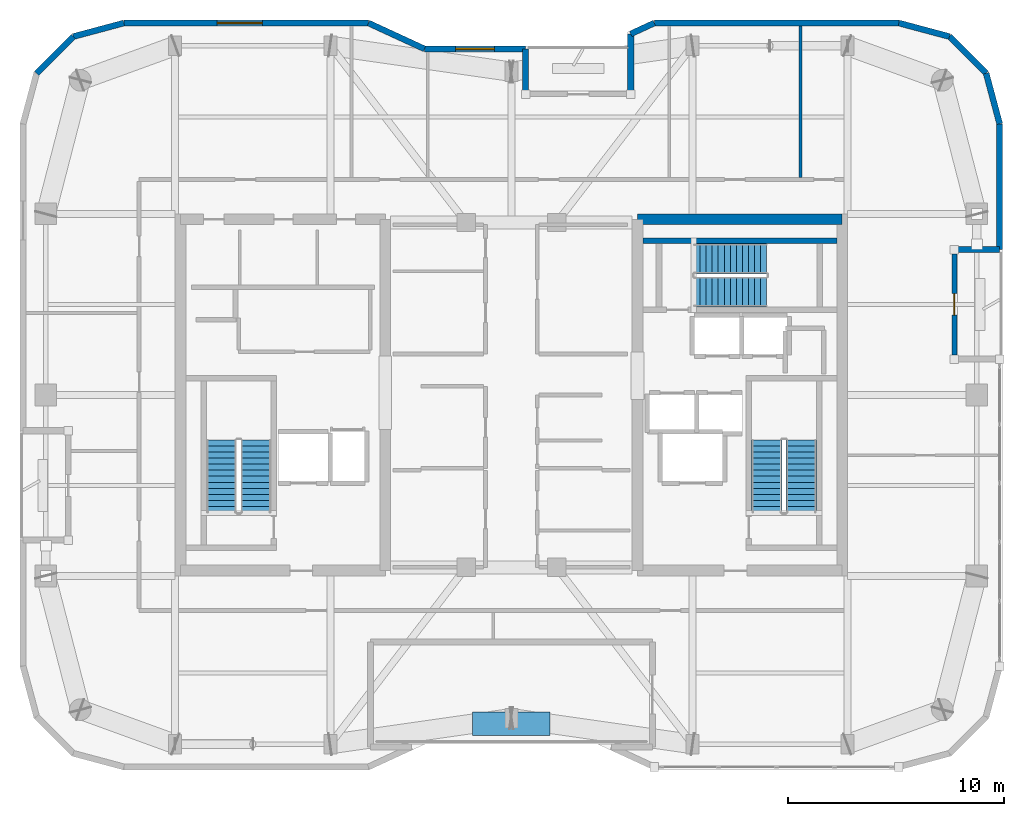
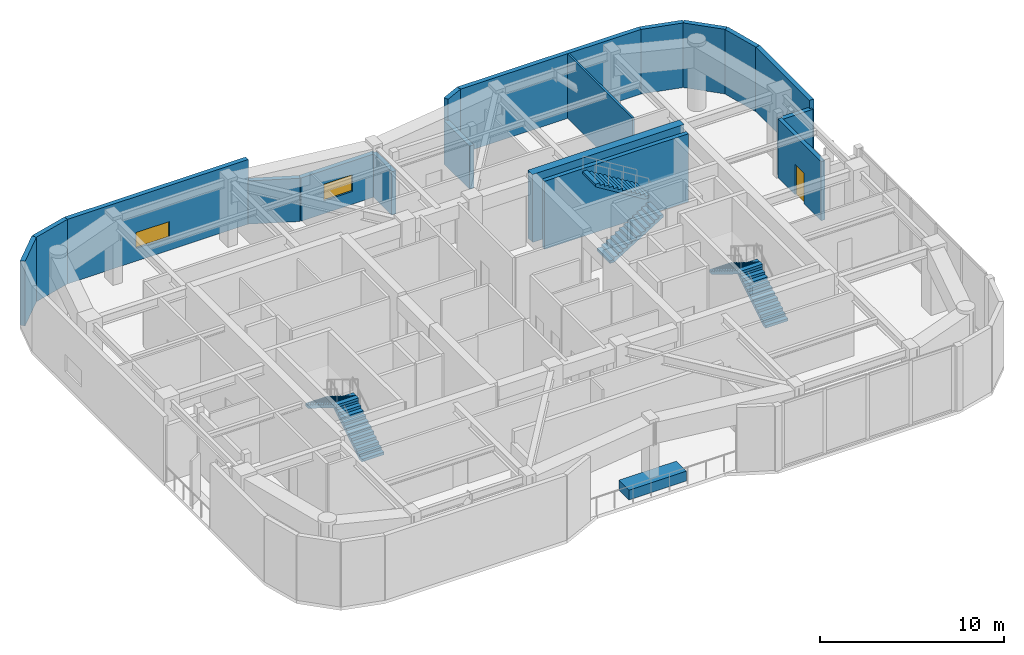
# One storey, part 12 of 14: 18 walls, 6 stair flights, 2 windows, 1 discrete accessory, 1 door, 3 openings, 3 elements without a shape of their own.
"""IFC4 building model written with IfcOpenShell, lengths in metres."""

from ifc_helpers import new_model, si_unit, direction, frame, frame_2d, origin, origin_2d, place, context, subcontext, project, spatial, polyline, rectangle, outline, extrude, material, layer, layer_set, type_object, element, fill, aggregate, save


model = new_model("IFC4")

# Units and contexts
model_context = context("Model", 3, precision=1e-05, world=origin(), true_north=direction((0.0, 1.0)))
body_context = subcontext(model_context, "Body", "Model", "MODEL_VIEW")
ifc_project = project(units=[si_unit("LENGTHUNIT", "METRE"), si_unit("AREAUNIT", "SQUARE_METRE"), si_unit("VOLUMEUNIT", "CUBIC_METRE"), si_unit("PLANEANGLEUNIT", "RADIAN"), si_unit("MASSUNIT", "GRAM", prefix="KILO")], contexts=[model_context])

# Site, building, storey
site_placement = place(None, origin())
site = spatial("IfcSite", under=ifc_project, at=site_placement, CompositionType="ELEMENT")
building_placement = place(site_placement, origin())
building = spatial("IfcBuilding", under=site, at=building_placement, Name="Kiyonajd Concourse Tower", CompositionType="ELEMENT")
storey_placement = place(building_placement, frame((0.0, 0.0, 294.0)))
storey = spatial("IfcBuildingStorey", under=building, at=storey_placement, Name="L74", CompositionType="ELEMENT", Elevation=294.0)

# Walls
ifc_material_1 = material(Name="Concrete C60/75", Category="concrete")
ifc_layer_1 = layer(ifc_material_1, 0.5)
ifc_layer_set_1 = layer_set([ifc_layer_1], Name="Concrete C60/75")
wall_type_1 = type_object("IfcWallType", Name="WL-CORE-500", PredefinedType="SHEAR", material=ifc_layer_set_1)
wall_1_placement = place(storey_placement, frame((53.85009765625, 44.14990234375, 0.0), z_axis=(0.0, 0.0, 1.0), x_axis=(1.0, 0.0, 0.0)))
element("IfcWall", 1, at=wall_1_placement, inside=storey, type_object=wall_type_1, Name="L74 East Core North Shear Wall", PredefinedType="SHEAR", context=body_context, shape_type="SweptSolid", body=[
    extrude(rectangle(XDim=9.5, YDim=0.5, at=frame_2d((4.75, 0.0))), origin(), (0.0, 0.0, 1.0), 4.5),
])
ifc_material_2 = material(Name="Precast concrete C50/60", Category="concrete")
ifc_layer_2 = layer(ifc_material_2, 0.280029296875)
ifc_layer_set_2 = layer_set([ifc_layer_2], Name="Precast concrete C50/60")
wall_type_2 = type_object("IfcWallType", Name="WL-EXT-280", PredefinedType="SOLIDWALL", material=ifc_layer_set_2)
wall_2_placement = place(storey_placement, frame((70.031494140625, 50.927490234375, 0.0), z_axis=(0.0, 0.0, 1.0), x_axis=(0.258751159445, -0.965944013639, 0.0)))
element("IfcWall", 2, at=wall_2_placement, inside=storey, type_object=wall_type_2, Name="L74 Exterior Concrete Frame Wall 00", PredefinedType="SOLIDWALL", context=body_context, shape_type="SweptSolid", body=[
    extrude(rectangle(XDim=2.4287109375, YDim=0.280029296875, at=frame_2d((1.21435546875, 0.0))), origin(), (0.0, 0.0, 1.0), 4.280029296875),
])
wall_3_placement = place(storey_placement, frame((70.659912109375, 48.58154296875, 0.0), z_axis=(0.0, 0.0, 1.0), x_axis=(0.0, -1.0, 0.0)))
element("IfcWall", 3, at=wall_3_placement, inside=storey, type_object=wall_type_2, Name="L74 Exterior Concrete Frame Wall 01", PredefinedType="SOLIDWALL", context=body_context, shape_type="SweptSolid", body=[
    extrude(rectangle(XDim=5.841552734375, YDim=0.280029296875, at=frame_2d((2.9208984375, 0.0))), origin(), (0.0, 0.0, 1.0), 4.280029296875),
])
wall_4_placement = place(storey_placement, frame((70.659912109375, 42.739990234375, 0.0), z_axis=(0.0, 0.0, 1.0), x_axis=(-1.0, 0.0, 0.0)))
element("IfcWall", 4, at=wall_4_placement, inside=storey, type_object=wall_type_2, Name="L74 Exterior Concrete Frame Wall 02", PredefinedType="SOLIDWALL", context=body_context, shape_type="SweptSolid", body=[
    extrude(rectangle(XDim=2.099853515625, YDim=0.280029296875, at=frame_2d((1.0498046875, 0.0))), origin(), (0.0, 0.0, 1.0), 3.72607421875),
])
wall_5_placement = place(storey_placement, frame((25.968505859375, 50.927490234375, 0.0), z_axis=(0.0, 0.0, 1.0), x_axis=(0.707106781187, 0.707106781187, 0.0)))
element("IfcWall", 5, at=wall_5_placement, inside=storey, type_object=wall_type_2, Name="L74 Exterior Concrete Frame Wall 27", PredefinedType="SOLIDWALL", context=body_context, shape_type="SweptSolid", body=[
    extrude(rectangle(XDim=2.409912109375, YDim=0.280029296875, at=frame_2d((1.205078125, 0.0))), origin(), (0.0, 0.0, 1.0), 4.280029296875),
])
wall_6_placement = place(storey_placement, frame((27.672607421875, 52.631591796875, 0.0), z_axis=(0.0, 0.0, 1.0), x_axis=(0.965937282298, 0.25877628691, 0.0)))
element("IfcWall", 6, at=wall_6_placement, inside=storey, type_object=wall_type_2, Name="L74 Exterior Concrete Frame Wall 28", PredefinedType="SOLIDWALL", context=body_context, shape_type="SweptSolid", body=[
    extrude(rectangle(XDim=2.428466796875, YDim=0.280029296875, at=frame_2d((1.21435546875, 0.0))), origin(), (0.0, 0.0, 1.0), 4.280029296875),
])

# Wall, opening, window
wall_7_placement = place(storey_placement, frame((30.018310546875, 53.260009765625, 0.0), z_axis=(0.0, 0.0, 1.0), x_axis=(1.0, 0.0, 0.0)))
wall_7 = element("IfcWall", 7, at=wall_7_placement, inside=storey, type_object=wall_type_2, Name="L74 Exterior Concrete Frame Wall 29", PredefinedType="SOLIDWALL", context=body_context, shape_type="SweptSolid", body=[
    extrude(rectangle(XDim=11.35107421875, YDim=0.280029296875, at=frame_2d((5.675537109375, 0.0))), origin(), (0.0, 0.0, 1.0), 4.280029296875),
])
opening_1_placement = place(wall_7_placement, frame((4.325927734375, 0.0, 0.85009765625)))
opening_1 = element("IfcOpeningElement", 8, at=opening_1_placement, cuts=wall_7, Name="Opening WN5", PredefinedType="OPENING", context=body_context, shape_type="SweptSolid", body=[
    extrude(rectangle(XDim=2.10009765625, YDim=1.050048828125, at=frame_2d((1.050048828125, 0.52490234375))), frame((0.0, 0.14990234375, 0.0), z_axis=(0.0, -1.0, 0.0), x_axis=(1.0, 0.0, 0.0)), (0.0, 0.0, 1.0), 0.300048828125),
])
ifc_material_3 = material(Name="Double Low-E Insulated Glass", Category="glass")
window_type_1 = type_object("IfcWindowType", Name="WN-VIS-2100x1050", PartitioningType="SINGLE_PANEL", PredefinedType="WINDOW", material=ifc_material_3)
window_1_placement = place(opening_1_placement, origin())
window_1 = element("IfcWindow", 9, at=window_1_placement, inside=storey, type_object=window_type_1, Name="L74 Modular Facade Vision Window 29", OverallHeight=1.050048828125, OverallWidth=2.10009765625, PartitioningType="SINGLE_PANEL", PredefinedType="WINDOW", context=body_context, shape_type="SweptSolid", body=[
    extrude(rectangle(XDim=2.10009765625, YDim=1.050048828125, at=frame_2d((1.050048828125, 0.52490234375))), frame((0.0, 0.030029296875, 0.0), z_axis=(0.0, -1.0, 0.0), x_axis=(1.0, 0.0, 0.0)), (0.0, 0.0, 1.0), 0.06005859375),
])
fill(opening_1, window_1)

# Wall
wall_8_placement = place(storey_placement, frame((41.369384765625, 53.260009765625, 0.0), z_axis=(0.0, 0.0, 1.0), x_axis=(0.907956889006, -0.419063584324, 0.0)))
element("IfcWall", 10, at=wall_8_placement, inside=storey, type_object=wall_type_2, Name="L74 Exterior Concrete Frame Wall 30", PredefinedType="SOLIDWALL", context=body_context, shape_type="SweptSolid", body=[
    extrude(rectangle(XDim=2.863525390625, YDim=0.280029296875, at=frame_2d((1.431640625, 0.0))), origin(), (0.0, 0.0, 1.0), 2.864990234375),
])

# Wall, opening, window
wall_9_placement = place(storey_placement, frame((43.96923828125, 52.06005859375, 0.0), z_axis=(0.0, 0.0, 1.0), x_axis=(1.0, 0.0, 0.0)))
wall_9 = element("IfcWall", 11, at=wall_9_placement, inside=storey, type_object=wall_type_2, Name="L74 Exterior Concrete Frame Wall 31", PredefinedType="SOLIDWALL", context=body_context, shape_type="SweptSolid", body=[
    extrude(rectangle(XDim=4.690673828125, YDim=0.280029296875, at=frame_2d((2.34521484375, 0.0))), origin(), (0.0, 0.0, 1.0), 2.864990234375),
])
opening_2_placement = place(wall_9_placement, frame((1.445068359375, 0.0, 0.85009765625)))
opening_2 = element("IfcOpeningElement", 12, at=opening_2_placement, cuts=wall_9, Name="Opening WN1", PredefinedType="OPENING", context=body_context, shape_type="SweptSolid", body=[
    extrude(rectangle(XDim=1.800048828125, YDim=1.10009765625, at=frame_2d((0.89990234375, 0.550048828125))), frame((0.0, 0.14990234375, 0.0), z_axis=(0.0, -1.0, 0.0), x_axis=(1.0, 0.0, 0.0)), (0.0, 0.0, 1.0), 0.300048828125),
])
window_type_2 = type_object("IfcWindowType", Name="WN-VIS-1800x1100", PartitioningType="SINGLE_PANEL", PredefinedType="WINDOW", material=ifc_material_3)
window_2_placement = place(opening_2_placement, origin())
window_2 = element("IfcWindow", 13, at=window_2_placement, inside=storey, type_object=window_type_2, Name="L74 Modular Facade Vision Window 31", OverallHeight=1.10009765625, OverallWidth=1.800048828125, PartitioningType="SINGLE_PANEL", PredefinedType="WINDOW", context=body_context, shape_type="SweptSolid", body=[
    extrude(rectangle(XDim=1.800048828125, YDim=1.10009765625, at=frame_2d((0.89990234375, 0.550048828125))), frame((0.0, 0.030029296875, 0.0), z_axis=(0.0, -1.0, 0.0), x_axis=(1.0, 0.0, 0.0)), (0.0, 0.0, 1.0), 0.06005859375),
])
fill(opening_2, window_2)

# Walls
wall_10_placement = place(storey_placement, frame((48.659912109375, 52.06005859375, 0.0), z_axis=(0.0, 0.0, 1.0), x_axis=(0.0, -1.0, 0.0)))
element("IfcWall", 14, at=wall_10_placement, inside=storey, type_object=wall_type_2, Name="L74 Exterior Concrete Frame Wall 32", PredefinedType="SOLIDWALL", context=body_context, shape_type="SweptSolid", body=[
    extrude(rectangle(XDim=2.10009765625, YDim=0.280029296875, at=frame_2d((1.050048828125, 0.0))), origin(), (0.0, 0.0, 1.0), 2.864990234375),
])
wall_11_placement = place(storey_placement, frame((53.5400390625, 49.9599609375, 0.0), z_axis=(0.0, 0.0, 1.0), x_axis=(0.0, 1.0, 0.0)))
element("IfcWall", 15, at=wall_11_placement, inside=storey, type_object=wall_type_2, Name="L74 Exterior Concrete Frame Wall 34", PredefinedType="SOLIDWALL", context=body_context, shape_type="SweptSolid", body=[
    extrude(rectangle(XDim=2.79638671875, YDim=0.280029296875, at=frame_2d((1.398193359375, 0.0))), origin(), (0.0, 0.0, 1.0), 2.864990234375),
])
wall_12_placement = place(storey_placement, frame((53.5400390625, 52.75634765625, 0.0), z_axis=(0.0, 0.0, 1.0), x_axis=(0.907893953211, 0.419199916176, 0.0)))
element("IfcWall", 16, at=wall_12_placement, inside=storey, type_object=wall_type_2, Name="L74 Exterior Concrete Frame Wall 35", PredefinedType="SOLIDWALL", context=body_context, shape_type="SweptSolid", body=[
    extrude(rectangle(XDim=1.201416015625, YDim=0.280029296875, at=frame_2d((0.6005859375, 0.0))), origin(), (0.0, 0.0, 1.0), 4.280029296875),
])
wall_13_placement = place(storey_placement, frame((54.630859375, 53.260009765625, 0.0), z_axis=(0.0, 0.0, 1.0), x_axis=(1.0, 0.0, 0.0)))
element("IfcWall", 17, at=wall_13_placement, inside=storey, type_object=wall_type_2, Name="L74 Exterior Concrete Frame Wall 36", PredefinedType="SOLIDWALL", context=body_context, shape_type="SweptSolid", body=[
    extrude(rectangle(XDim=11.350830078125, YDim=0.280029296875, at=frame_2d((5.67529296875, 0.0))), origin(), (0.0, 0.0, 1.0), 4.280029296875),
])
wall_14_placement = place(storey_placement, frame((65.981689453125, 53.260009765625, 0.0), z_axis=(0.0, 0.0, 1.0), x_axis=(0.965937282298, -0.25877628691, 0.0)))
element("IfcWall", 18, at=wall_14_placement, inside=storey, type_object=wall_type_2, Name="L74 Exterior Concrete Frame Wall 37", PredefinedType="SOLIDWALL", context=body_context, shape_type="SweptSolid", body=[
    extrude(rectangle(XDim=2.428466796875, YDim=0.280029296875, at=frame_2d((1.21435546875, 0.0))), origin(), (0.0, 0.0, 1.0), 4.280029296875),
])
wall_15_placement = place(storey_placement, frame((68.327392578125, 52.631591796875, 0.0), z_axis=(0.0, 0.0, 1.0), x_axis=(0.707106781187, -0.707106781187, 0.0)))
element("IfcWall", 19, at=wall_15_placement, inside=storey, type_object=wall_type_2, Name="L74 Exterior Concrete Frame Wall 38", PredefinedType="SOLIDWALL", context=body_context, shape_type="SweptSolid", body=[
    extrude(rectangle(XDim=2.409912109375, YDim=0.280029296875, at=frame_2d((1.205078125, 0.0))), origin(), (0.0, 0.0, 1.0), 4.280029296875),
])

# Wall, opening, door
ifc_layer_3 = layer(ifc_material_2, 0.239990234375)
ifc_layer_set_3 = layer_set([ifc_layer_3], Name="Precast concrete C50/60")
wall_type_3 = type_object("IfcWallType", Name="WL-LOG-240", PredefinedType="SOLIDWALL", material=ifc_layer_set_3)
wall_16_placement = place(storey_placement, frame((68.56005859375, 42.544921875, 0.0), z_axis=(0.0, 0.0, 1.0), x_axis=(0.0, -1.0, 0.0)))
wall_16 = element("IfcWall", 20, at=wall_16_placement, inside=storey, type_object=wall_type_3, Name="L74 Recessed Loggia Thermal Wall LOG-E", PredefinedType="SOLIDWALL", context=body_context, shape_type="SweptSolid", body=[
    extrude(rectangle(XDim=4.68994140625, YDim=0.239990234375, at=frame_2d((2.344970703125, 0.0))), origin(), (0.0, 0.0, 1.0), 3.910888671875),
])
opening_3_placement = place(wall_16_placement, frame((1.844970703125, 0.0, 0.0)))
opening_3 = element("IfcOpeningElement", 21, at=opening_3_placement, cuts=wall_16, Name="Opening DL1", PredefinedType="OPENING", context=body_context, shape_type="SweptSolid", body=[
    extrude(rectangle(XDim=1.0, YDim=2.02001953125, at=frame_2d((0.5, 1.010009765625))), frame((0.0, 0.1298828125, 0.0), z_axis=(0.0, -1.0, 0.0), x_axis=(1.0, 0.0, 0.0)), (0.0, 0.0, 1.0), 0.260009765625),
])
ifc_material_4 = material(Name="Thermally Broken Anodised Aluminium", Category="aluminium")
door_type = type_object("IfcDoorType", Name="DR-LOG-1000", OperationType="NOTDEFINED", PredefinedType="DOOR", material=ifc_material_4)
door_placement = place(opening_3_placement, origin())
door = element("IfcDoor", 22, at=door_placement, inside=storey, type_object=door_type, Name="L74 Engawa Loggia Access Door LOG-E", OperationType="SINGLE_SWING_LEFT", OverallHeight=2.02001953125, OverallWidth=1.0, PredefinedType="DOOR", context=body_context, shape_type="SweptSolid", body=[
    extrude(rectangle(XDim=1.0, YDim=2.02001953125, at=frame_2d((0.5, 1.010009765625))), frame((0.0, 0.02490234375, 0.0), z_axis=(0.0, -1.0, 0.0), x_axis=(1.0, 0.0, 0.0)), (0.0, 0.0, 1.0), 0.050048828125),
])
fill(opening_3, door)

# Walls
ifc_material_5 = material(Name="Gypsum Board on Cold-Formed Steel Stud", Category="steel")
ifc_layer_4 = layer(ifc_material_5, 0.125)
ifc_layer_set_4 = layer_set([ifc_layer_4], Name="Gypsum Board on Cold-Formed Steel Stud")
wall_type_4 = type_object("IfcWallType", Name="WL-PART-125", PredefinedType="PARTITIONING", material=ifc_layer_set_4)
wall_17_placement = place(storey_placement, frame((61.419921875, 46.0869140625, 0.0), z_axis=(0.0, 0.0, 1.0), x_axis=(0.0, 1.0, 0.0)))
element("IfcWall", 23, at=wall_17_placement, inside=storey, type_object=wall_type_4, Name="L74 Interior Partition Wall", PredefinedType="PARTITIONING", context=body_context, shape_type="SweptSolid", body=[
    extrude(rectangle(XDim=7.0380859375, YDim=0.125, at=frame_2d((3.51904296875, 0.0))), origin(), (0.0, 0.0, 1.0), 4.280029296875),
])
ifc_material_6 = material(Name="Concrete C50/60", Category="concrete")
ifc_layer_5 = layer(ifc_material_6, 0.260009765625)
ifc_layer_set_5 = layer_set([ifc_layer_5], Name="Concrete C50/60")
wall_type_5 = type_object("IfcWallType", Name="WL-STAIR-260", PredefinedType="SHEAR", material=ifc_layer_set_5)
wall_18_placement = place(storey_placement, frame((54.10009765625, 43.14990234375, 0.0), z_axis=(0.0, 0.0, 1.0), x_axis=(1.0, 0.0, 0.0)))
element("IfcWall", 24, at=wall_18_placement, inside=storey, type_object=wall_type_5, Name="L74 Stair ST3 Structural North Wall", PredefinedType="SHEAR", context=body_context, shape_type="SweptSolid", body=[
    extrude(rectangle(XDim=9.0, YDim=0.260009765625, at=frame_2d((4.5, 0.0))), origin(), (0.0, 0.0, 1.0), 4.5),
])

# Stair, stair flights
ifc_material_7 = material(Name="Concrete C40/50", Category="concrete")
stair_type = type_object("IfcStairType", Name="ST-DLG-26R", PredefinedType="HALF_TURN_STAIR", material=ifc_material_7)
stair_1_placement = place(storey_placement, origin())
stair_1 = element("IfcStair", 25, at=stair_1_placement, inside=storey, type_object=stair_type, Name="L74 Protected Exit Stair ST1", PredefinedType="HALF_TURN_STAIR")
stair_flight_type = type_object("IfcStairFlightType", Name="SF-STR-26R", PredefinedType="STRAIGHT", material=ifc_material_7)
stair_flight_1_placement = place(storey_placement, frame((36.14990234375, 30.550048828125, 0.0), z_axis=(0.0, 0.0, 1.0), x_axis=(0.0, 1.0, 0.0)))
stair_flight_1 = element("IfcStairFlight", 26, at=stair_flight_1_placement, type_object=stair_flight_type, Name="ST1 flight 1", NumberOfRisers=13, NumberOfTreads=12, PredefinedType="STRAIGHT", RiserHeight=0.173076923, TreadLength=0.28, context=body_context, shape_type="SweptSolid", body=[
    extrude(outline(polyline([(0.0, 0.0), (0.0, 0.173095703125), (0.280029296875, 0.173095703125), (0.280029296875, 0.34619140625), (0.56005859375, 0.34619140625), (0.56005859375, 0.519287109375), (0.840087890625, 0.519287109375), (0.840087890625, 0.6923828125), (1.1201171875, 0.6923828125), (1.1201171875, 0.865478515625), (1.39990234375, 0.865478515625), (1.39990234375, 1.03857421875), (1.679931640625, 1.03857421875), (1.679931640625, 1.21142578125), (1.9599609375, 1.21142578125), (1.9599609375, 1.384521484375), (2.239990234375, 1.384521484375), (2.239990234375, 1.5576171875), (2.52001953125, 1.5576171875), (2.52001953125, 1.730712890625), (2.800048828125, 1.730712890625), (2.800048828125, 1.90380859375), (3.080078125, 1.90380859375), (3.080078125, 2.076904296875), (3.360107421875, 2.076904296875), (3.360107421875, 2.25), (3.360107421875, 1.900634765625), (0.28515625, 0.0), (0.0, 0.0)])), frame((0.0, 0.699951171875, 0.0), z_axis=(0.0, -1.0, 0.0), x_axis=(1.0, 0.0, 0.0)), (0.0, 0.0, 1.0), 1.39990234375),
])
stair_flight_2_placement = place(storey_placement, frame((34.550048828125, 33.909912109375, 2.25), z_axis=(0.0, 0.0, 1.0), x_axis=(0.0, -1.0, 0.0)))
stair_flight_2 = element("IfcStairFlight", 27, at=stair_flight_2_placement, type_object=stair_flight_type, Name="ST1 flight 2", NumberOfRisers=13, NumberOfTreads=12, PredefinedType="STRAIGHT", RiserHeight=0.173076923, TreadLength=0.28, context=body_context, shape_type="SweptSolid", body=[
    extrude(outline(polyline([(0.0, 0.0), (0.0, 0.173095703125), (0.280029296875, 0.173095703125), (0.280029296875, 0.34619140625), (0.56005859375, 0.34619140625), (0.56005859375, 0.519287109375), (0.840087890625, 0.519287109375), (0.840087890625, 0.6923828125), (1.1201171875, 0.6923828125), (1.1201171875, 0.865478515625), (1.39990234375, 0.865478515625), (1.39990234375, 1.03857421875), (1.679931640625, 1.03857421875), (1.679931640625, 1.21142578125), (1.9599609375, 1.21142578125), (1.9599609375, 1.384521484375), (2.239990234375, 1.384521484375), (2.239990234375, 1.5576171875), (2.52001953125, 1.5576171875), (2.52001953125, 1.730712890625), (2.800048828125, 1.730712890625), (2.800048828125, 1.90380859375), (3.080078125, 1.90380859375), (3.080078125, 2.076904296875), (3.360107421875, 2.076904296875), (3.360107421875, 2.25), (3.360107421875, 1.900634765625), (0.28515625, 0.0), (0.0, 0.0)])), frame((0.0, 0.699951171875, 0.0), z_axis=(0.0, -1.0, 0.0), x_axis=(1.0, 0.0, 0.0)), (0.0, 0.0, 1.0), 1.39990234375),
])
aggregate(stair_1, [stair_flight_1, stair_flight_2])

stair_2_placement = place(storey_placement, origin())
stair_2 = element("IfcStair", 28, at=stair_2_placement, inside=storey, type_object=stair_type, Name="L74 Protected Exit Stair ST2", PredefinedType="HALF_TURN_STAIR")
stair_flight_3_placement = place(storey_placement, frame((61.449951171875, 30.550048828125, 0.0), z_axis=(0.0, 0.0, 1.0), x_axis=(0.0, 1.0, 0.0)))
stair_flight_3 = element("IfcStairFlight", 29, at=stair_flight_3_placement, type_object=stair_flight_type, Name="ST2 flight 1", NumberOfRisers=13, NumberOfTreads=12, PredefinedType="STRAIGHT", RiserHeight=0.173076923, TreadLength=0.28, context=body_context, shape_type="SweptSolid", body=[
    extrude(outline(polyline([(0.0, 0.0), (0.0, 0.173095703125), (0.280029296875, 0.173095703125), (0.280029296875, 0.34619140625), (0.56005859375, 0.34619140625), (0.56005859375, 0.519287109375), (0.840087890625, 0.519287109375), (0.840087890625, 0.6923828125), (1.1201171875, 0.6923828125), (1.1201171875, 0.865478515625), (1.39990234375, 0.865478515625), (1.39990234375, 1.03857421875), (1.679931640625, 1.03857421875), (1.679931640625, 1.21142578125), (1.9599609375, 1.21142578125), (1.9599609375, 1.384521484375), (2.239990234375, 1.384521484375), (2.239990234375, 1.5576171875), (2.52001953125, 1.5576171875), (2.52001953125, 1.730712890625), (2.800048828125, 1.730712890625), (2.800048828125, 1.90380859375), (3.080078125, 1.90380859375), (3.080078125, 2.076904296875), (3.360107421875, 2.076904296875), (3.360107421875, 2.25), (3.360107421875, 1.900634765625), (0.28515625, 0.0), (0.0, 0.0)])), frame((0.0, 0.699951171875, 0.0), z_axis=(0.0, -1.0, 0.0), x_axis=(1.0, 0.0, 0.0)), (0.0, 0.0, 1.0), 1.39990234375),
])
stair_flight_4_placement = place(storey_placement, frame((59.85009765625, 33.909912109375, 2.25), z_axis=(0.0, 0.0, 1.0), x_axis=(0.0, -1.0, 0.0)))
stair_flight_4 = element("IfcStairFlight", 30, at=stair_flight_4_placement, type_object=stair_flight_type, Name="ST2 flight 2", NumberOfRisers=13, NumberOfTreads=12, PredefinedType="STRAIGHT", RiserHeight=0.173076923, TreadLength=0.28, context=body_context, shape_type="SweptSolid", body=[
    extrude(outline(polyline([(0.0, 0.0), (0.0, 0.173095703125), (0.280029296875, 0.173095703125), (0.280029296875, 0.34619140625), (0.56005859375, 0.34619140625), (0.56005859375, 0.519287109375), (0.840087890625, 0.519287109375), (0.840087890625, 0.6923828125), (1.1201171875, 0.6923828125), (1.1201171875, 0.865478515625), (1.39990234375, 0.865478515625), (1.39990234375, 1.03857421875), (1.679931640625, 1.03857421875), (1.679931640625, 1.21142578125), (1.9599609375, 1.21142578125), (1.9599609375, 1.384521484375), (2.239990234375, 1.384521484375), (2.239990234375, 1.5576171875), (2.52001953125, 1.5576171875), (2.52001953125, 1.730712890625), (2.800048828125, 1.730712890625), (2.800048828125, 1.90380859375), (3.080078125, 1.90380859375), (3.080078125, 2.076904296875), (3.360107421875, 2.076904296875), (3.360107421875, 2.25), (3.360107421875, 1.900634765625), (0.28515625, 0.0), (0.0, 0.0)])), frame((0.0, 0.699951171875, 0.0), z_axis=(0.0, -1.0, 0.0), x_axis=(1.0, 0.0, 0.0)), (0.0, 0.0, 1.0), 1.39990234375),
])
aggregate(stair_2, [stair_flight_3, stair_flight_4])

stair_3_placement = place(storey_placement, origin())
stair_3 = element("IfcStair", 31, at=stair_3_placement, inside=storey, type_object=stair_type, Name="L74 Protected Exit Stair ST3", PredefinedType="HALF_TURN_STAIR")
stair_flight_5_placement = place(storey_placement, frame((56.47998046875, 40.780029296875, 0.0), z_axis=(0.0, 0.0, 1.0), x_axis=(1.0, 0.0, 0.0)))
stair_flight_5 = element("IfcStairFlight", 32, at=stair_flight_5_placement, type_object=stair_flight_type, Name="ST3 flight 1", NumberOfRisers=13, NumberOfTreads=12, PredefinedType="STRAIGHT", RiserHeight=0.173076923, TreadLength=0.28, context=body_context, shape_type="SweptSolid", body=[
    extrude(outline(polyline([(0.0, 0.0), (0.0, 0.173095703125), (0.280029296875, 0.173095703125), (0.280029296875, 0.34619140625), (0.56005859375, 0.34619140625), (0.56005859375, 0.519287109375), (0.840087890625, 0.519287109375), (0.840087890625, 0.6923828125), (1.1201171875, 0.6923828125), (1.1201171875, 0.865478515625), (1.39990234375, 0.865478515625), (1.39990234375, 1.03857421875), (1.679931640625, 1.03857421875), (1.679931640625, 1.21142578125), (1.9599609375, 1.21142578125), (1.9599609375, 1.384521484375), (2.239990234375, 1.384521484375), (2.239990234375, 1.5576171875), (2.52001953125, 1.5576171875), (2.52001953125, 1.730712890625), (2.800048828125, 1.730712890625), (2.800048828125, 1.90380859375), (3.080078125, 1.90380859375), (3.080078125, 2.076904296875), (3.360107421875, 2.076904296875), (3.360107421875, 2.25), (3.360107421875, 1.900634765625), (0.28515625, 0.0), (0.0, 0.0)])), frame((0.0, 0.699951171875, 0.0), z_axis=(0.0, -1.0, 0.0), x_axis=(1.0, 0.0, 0.0)), (0.0, 0.0, 1.0), 1.39990234375),
])
stair_flight_6_placement = place(storey_placement, frame((59.840087890625, 42.320068359375, 2.25), z_axis=(0.0, 0.0, 1.0), x_axis=(-1.0, 0.0, 0.0)))
stair_flight_6 = element("IfcStairFlight", 33, at=stair_flight_6_placement, type_object=stair_flight_type, Name="ST3 flight 2", NumberOfRisers=13, NumberOfTreads=12, PredefinedType="STRAIGHT", RiserHeight=0.173076923, TreadLength=0.28, context=body_context, shape_type="SweptSolid", body=[
    extrude(outline(polyline([(0.0, 0.0), (0.0, 0.173095703125), (0.280029296875, 0.173095703125), (0.280029296875, 0.34619140625), (0.56005859375, 0.34619140625), (0.56005859375, 0.519287109375), (0.840087890625, 0.519287109375), (0.840087890625, 0.6923828125), (1.1201171875, 0.6923828125), (1.1201171875, 0.865478515625), (1.39990234375, 0.865478515625), (1.39990234375, 1.03857421875), (1.679931640625, 1.03857421875), (1.679931640625, 1.21142578125), (1.9599609375, 1.21142578125), (1.9599609375, 1.384521484375), (2.239990234375, 1.384521484375), (2.239990234375, 1.5576171875), (2.52001953125, 1.5576171875), (2.52001953125, 1.730712890625), (2.800048828125, 1.730712890625), (2.800048828125, 1.90380859375), (3.080078125, 1.90380859375), (3.080078125, 2.076904296875), (3.360107421875, 2.076904296875), (3.360107421875, 2.25), (3.360107421875, 1.900634765625), (0.28515625, 0.0), (0.0, 0.0)])), frame((0.0, 0.699951171875, 0.0), z_axis=(0.0, -1.0, 0.0), x_axis=(1.0, 0.0, 0.0)), (0.0, 0.0, 1.0), 1.39990234375),
])
aggregate(stair_3, [stair_flight_5, stair_flight_6])

# Discrete accessory
discrete_accessory_type = type_object("IfcDiscreteAccessoryType", Name="DA-PLN-BOX", PredefinedType="USERDEFINED", material=ifc_material_2)
discrete_accessory_placement = place(storey_placement, frame((48.0, 20.75, 0.0), z_axis=(0.0, 0.0, 1.0), x_axis=(1.0, 0.0, 0.0)))
element("IfcDiscreteAccessory", 34, at=discrete_accessory_placement, inside=storey, type_object=discrete_accessory_type, Name="L74 Summit Horizon Sky Garden Xeriscape Planter", ObjectType="PLANTER", PredefinedType="USERDEFINED", context=body_context, shape_type="SweptSolid", body=[
    extrude(rectangle(XDim=3.60009765625, YDim=1.10009765625, at=origin_2d()), origin(), (0.0, 0.0, 1.0), 0.64990234375),
])

save(model, "model.ifc")
